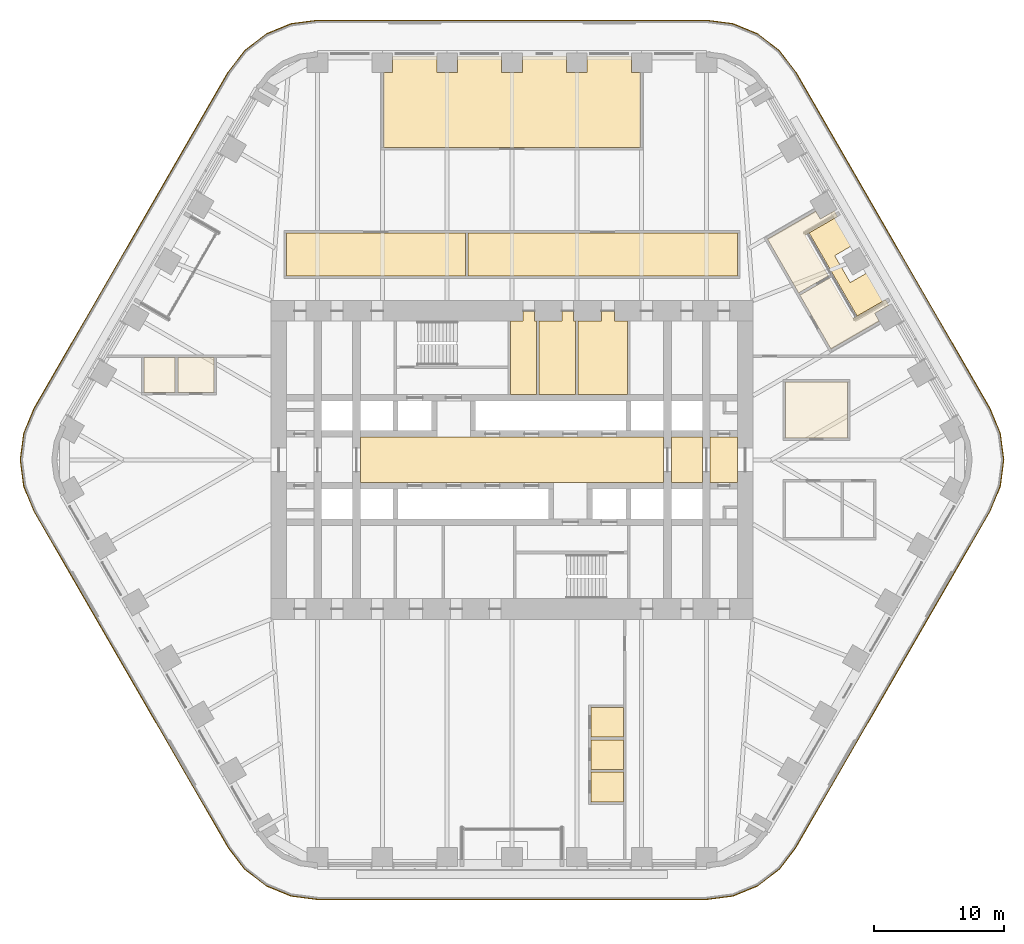
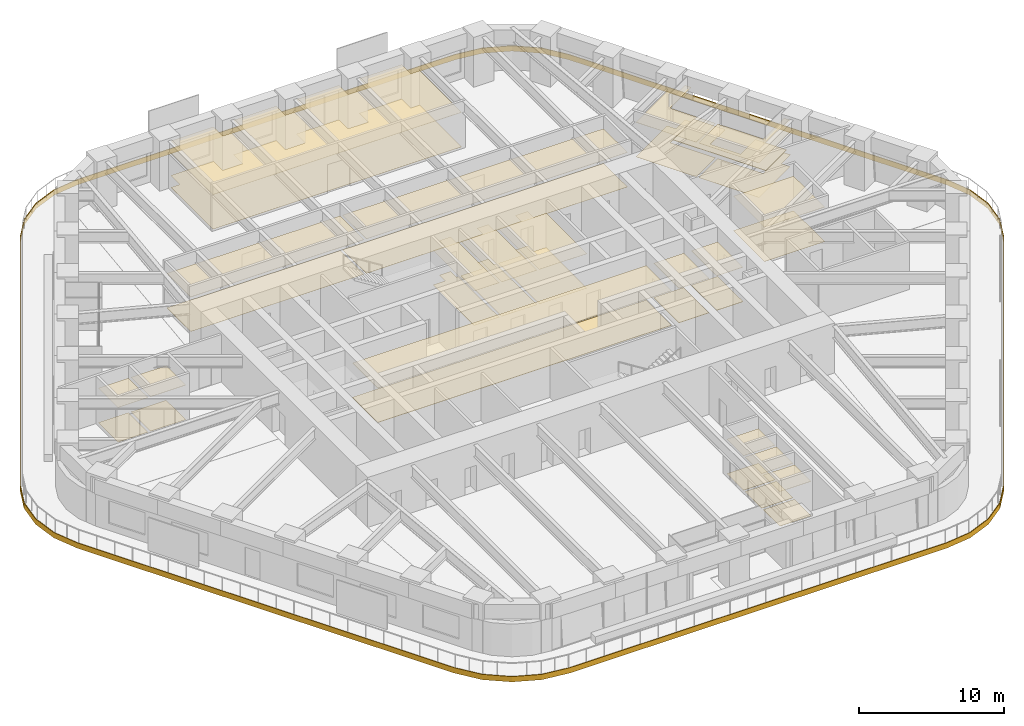
# One storey, part 23 of 24: 16 coverings.
"""IFC4 building model written with IfcOpenShell, lengths in metres."""

from ifc_helpers import new_model, si_unit, direction, frame, origin, place, context, subcontext, project, spatial, polyline, outline, extrude, material, layer, layer_set, type_object, element, save


model = new_model("IFC4")

# Units and contexts
model_context = context("Model", 3, precision=1e-05, world=origin(), true_north=direction((0.0, 1.0)))
body_context = subcontext(model_context, "Body", "Model", "MODEL_VIEW")
ifc_project = project(units=[si_unit("LENGTHUNIT", "METRE"), si_unit("AREAUNIT", "SQUARE_METRE"), si_unit("VOLUMEUNIT", "CUBIC_METRE"), si_unit("PLANEANGLEUNIT", "RADIAN"), si_unit("MASSUNIT", "GRAM", prefix="KILO")], contexts=[model_context])

# Site, building, storey
site_placement = place(None, origin())
site = spatial("IfcSite", under=ifc_project, at=site_placement, CompositionType="ELEMENT")
building_placement = place(site_placement, origin())
building = spatial("IfcBuilding", under=site, at=building_placement, Name="Tarfa Lantern Tower", CompositionType="ELEMENT")
storey_placement = place(building_placement, frame((0.0, 0.0, 140.5)))
storey = spatial("IfcBuildingStorey", under=building, at=storey_placement, Name="L31", CompositionType="ELEMENT", Elevation=140.5)

# Coverings
ifc_material_1 = material(Name="Mineral fibre acoustic tile on suspension grid", Category="finish")
ifc_layer_1 = layer(ifc_material_1, 0.02001953125)
ifc_layer_set_1 = layer_set([ifc_layer_1], Name="CL1 ACOUSTIC TILE CEILING 20")
covering_type_1 = type_object("IfcCoveringType", Name="CL1 ACOUSTIC TILE CEILING 20", PredefinedType="CEILING", material=ifc_layer_set_1)
covering_1_placement = place(storey_placement, frame((0.0, 0.0, 2.89990234375)))
element("IfcCovering", 1, at=covering_1_placement, inside=storey, type_object=covering_type_1, Name="Ceiling L31 CL1", PredefinedType="CEILING", context=body_context, shape_type="SweptSolid", body=[
    extrude(outline(polyline([(-17.39990234375, 17.5), (-3.60009765625, 17.5), (-3.60009765625, 14.199951171875), (-17.39990234375, 14.199951171875), (-17.39990234375, 17.5)])), origin(), (0.0, 0.0, 1.0), 0.02001953125),
    extrude(outline(polyline([(-3.39990234375, 17.5), (17.39990234375, 17.5), (17.39990234375, 14.199951171875), (-3.39990234375, 14.199951171875), (-3.39990234375, 17.5)])), origin(), (0.0, 0.0, 1.0), 0.02001953125),
    extrude(outline(polyline([(9.907470703125, 24.10009765625), (-9.907470703125, 24.10009765625), (-9.907470703125, 29.89990234375), (-9.20751953125, 29.89990234375), (-9.20751953125, 31.14990234375), (-5.8037109375, 31.14990234375), (-5.8037109375, 29.89990234375), (-4.20361328125, 29.89990234375), (-4.20361328125, 31.14990234375), (-0.800048828125, 31.14990234375), (-0.800048828125, 29.89990234375), (0.800048828125, 29.89990234375), (0.800048828125, 31.14990234375), (4.20361328125, 31.14990234375), (4.20361328125, 29.89990234375), (5.8037109375, 29.89990234375), (5.8037109375, 31.14990234375), (9.20751953125, 31.14990234375), (9.20751953125, 29.89990234375), (9.907470703125, 29.89990234375), (9.907470703125, 24.10009765625)])), origin(), (0.0, 0.0, 1.0), 0.02001953125),
    extrude(outline(polyline([(24.6220703125, 8.55322265625), (22.22021484375, 12.71337890625), (24.51513671875, 14.038330078125), (26.317138671875, 10.91748046875), (28.82861328125, 12.367431640625), (29.07861328125, 11.9345703125), (27.99609375, 11.3095703125), (28.345947265625, 10.703369140625), (24.6220703125, 8.55322265625)])), origin(), (0.0, 0.0, 1.0), 0.02001953125),
    extrude(outline(polyline([(19.718505859375, 17.046630859375), (23.4423828125, 19.19677734375), (23.792236328125, 18.590576171875), (24.874755859375, 19.215576171875), (25.124755859375, 18.782470703125), (22.61328125, 17.33251953125), (24.415283203125, 14.211669921875), (22.120361328125, 12.88671875), (19.718505859375, 17.046630859375)])), origin(), (0.0, 0.0, 1.0), 0.02001953125),
    extrude(outline(polyline([(-25.795166015625, 5.199951171875), (-25.795166015625, 7.89990234375), (-22.9951171875, 7.89990234375), (-22.9951171875, 5.199951171875), (-25.795166015625, 5.199951171875)])), origin(), (0.0, 0.0, 1.0), 0.02001953125),
    extrude(outline(polyline([(-28.39501953125, 5.199951171875), (-28.39501953125, 7.89990234375), (-25.9951171875, 7.89990234375), (-25.9951171875, 5.199951171875), (-28.39501953125, 5.199951171875)])), origin(), (0.0, 0.0, 1.0), 0.02001953125),
    extrude(outline(polyline([(6.10009765625, -21.39990234375), (6.10009765625, -19.10009765625), (8.60009765625, -19.10009765625), (8.60009765625, -21.39990234375), (6.10009765625, -21.39990234375)])), origin(), (0.0, 0.0, 1.0), 0.02001953125),
    extrude(outline(polyline([(6.10009765625, -23.89990234375), (6.10009765625, -21.60009765625), (8.60009765625, -21.60009765625), (8.60009765625, -23.89990234375), (6.10009765625, -23.89990234375)])), origin(), (0.0, 0.0, 1.0), 0.02001953125),
    extrude(outline(polyline([(6.10009765625, -26.39990234375), (6.10009765625, -24.10009765625), (8.60009765625, -24.10009765625), (8.60009765625, -26.39990234375), (6.10009765625, -26.39990234375)])), origin(), (0.0, 0.0, 1.0), 0.02001953125),
    extrude(outline(polyline([(21.10009765625, 6.0), (25.89990234375, 6.0), (25.89990234375, 1.699951171875), (21.10009765625, 1.699951171875), (21.10009765625, 6.0)])), origin(), (0.0, 0.0, 1.0), 0.02001953125),
])
ifc_material_2 = material(Name="Moisture-resistant plasterboard", Category="finish")
ifc_layer_2 = layer(ifc_material_2, 0.014892578125)
ifc_layer_set_2 = layer_set([ifc_layer_2], Name="CL2 MOISTURE-RESISTANT PLASTERBOARD CEILING 15")
covering_type_2 = type_object("IfcCoveringType", Name="CL2 MOISTURE-RESISTANT PLASTERBOARD CEILING 15", PredefinedType="CEILING", material=ifc_layer_set_2)
covering_2_placement = place(storey_placement, frame((0.0, 0.0, 2.89990234375)))
element("IfcCovering", 2, at=covering_2_placement, inside=storey, type_object=covering_type_2, Name="Ceiling L31-09", PredefinedType="CEILING", context=body_context, shape_type="SweptSolid", body=[
    extrude(outline(polyline([(0.85009765625, 10.699951171875), (-0.10009765625, 10.699951171875), (-0.10009765625, 5.050048828125), (1.89990234375, 5.050048828125), (1.89990234375, 10.699951171875), (1.75, 10.699951171875), (1.75, 11.5), (1.75, 11.5), (0.85009765625, 11.5), (0.85009765625, 10.699951171875)])), origin(), (0.0, 0.0, 1.0), 0.01513671875),
])
covering_3_placement = place(storey_placement, frame((0.0, 0.0, 2.89990234375)))
element("IfcCovering", 3, at=covering_3_placement, inside=storey, type_object=covering_type_2, Name="Ceiling L31-10", PredefinedType="CEILING", context=body_context, shape_type="SweptSolid", body=[
    extrude(outline(polyline([(2.10009765625, 5.050048828125), (4.89990234375, 5.050048828125), (4.89990234375, 10.699951171875), (4.75, 10.699951171875), (4.75, 11.5), (3.85009765625, 11.5), (3.85009765625, 10.699951171875), (2.10009765625, 10.699951171875), (2.10009765625, 5.050048828125)])), origin(), (0.0, 0.0, 1.0), 0.01513671875),
])
covering_4_placement = place(storey_placement, frame((0.0, 0.0, 2.89990234375)))
element("IfcCovering", 4, at=covering_4_placement, inside=storey, type_object=covering_type_2, Name="Ceiling L31-11", PredefinedType="CEILING", context=body_context, shape_type="SweptSolid", body=[
    extrude(outline(polyline([(5.10009765625, 5.050048828125), (8.89990234375, 5.050048828125), (8.89990234375, 10.699951171875), (7.89990234375, 10.699951171875), (7.89990234375, 11.5), (6.89990234375, 11.5), (6.89990234375, 10.699951171875), (5.10009765625, 10.699951171875), (5.10009765625, 5.050048828125)])), origin(), (0.0, 0.0, 1.0), 0.01513671875),
])
ifc_material_3 = material(Name="Powder-coated aluminium panel", Category="aluminium")
ifc_layer_3 = layer(ifc_material_3, 0.030029296875)
ifc_layer_set_3 = layer_set([ifc_layer_3], Name="CL3 METAL PANEL CEILING 30")
covering_type_3 = type_object("IfcCoveringType", Name="CL3 METAL PANEL CEILING 30", PredefinedType="CEILING", material=ifc_layer_set_3)
covering_5_placement = place(storey_placement, frame((0.0, 0.0, 2.89990234375)))
element("IfcCovering", 5, at=covering_5_placement, inside=storey, type_object=covering_type_3, Name="Ceiling L31-03", PredefinedType="CEILING", context=body_context, shape_type="SweptSolid", body=[
    extrude(outline(polyline([(-11.699951171875, -1.75), (11.699951171875, -1.75), (11.699951171875, 1.75), (-11.699951171875, 1.75), (-11.699951171875, -1.75)])), origin(), (0.0, 0.0, 1.0), 0.030029296875),
])
covering_6_placement = place(storey_placement, frame((0.0, 0.0, 2.89990234375)))
element("IfcCovering", 6, at=covering_6_placement, inside=storey, type_object=covering_type_3, Name="Ceiling L31-04", PredefinedType="CEILING", context=body_context, shape_type="SweptSolid", body=[
    extrude(outline(polyline([(12.300048828125, -1.75), (14.699951171875, -1.75), (14.699951171875, 1.75), (12.300048828125, 1.75), (12.300048828125, -1.75)])), origin(), (0.0, 0.0, 1.0), 0.030029296875),
])
covering_7_placement = place(storey_placement, frame((0.0, 0.0, 2.89990234375)))
element("IfcCovering", 7, at=covering_7_placement, inside=storey, type_object=covering_type_3, Name="Ceiling L31-05", PredefinedType="CEILING", context=body_context, shape_type="SweptSolid", body=[
    extrude(outline(polyline([(15.300048828125, -1.75), (17.39990234375, -1.75), (17.39990234375, 1.75), (15.300048828125, 1.75), (15.300048828125, -1.75)])), origin(), (0.0, 0.0, 1.0), 0.030029296875),
])
ifc_material_4 = material(Name="Nylon carpet tile", Category="finish")
ifc_layer_4 = layer(ifc_material_4, 0.010009765625)
ifc_layer_set_4 = layer_set([ifc_layer_4], Name="FL1 CARPET TILE 10")
covering_type_4 = type_object("IfcCoveringType", Name="FL1 CARPET TILE 10", PredefinedType="FLOORING", material=ifc_layer_set_4)
covering_8_placement = place(storey_placement, origin())
element("IfcCovering", 8, at=covering_8_placement, inside=storey, type_object=covering_type_4, Name="Floor finish L31 FL1", PredefinedType="FLOORING", context=body_context, shape_type="SweptSolid", body=[
    extrude(outline(polyline([(-17.39990234375, 17.5), (-3.60009765625, 17.5), (-3.60009765625, 14.199951171875), (-17.39990234375, 14.199951171875), (-17.39990234375, 17.5)])), origin(), (0.0, 0.0, 1.0), 0.010009765625),
    extrude(outline(polyline([(-3.39990234375, 17.5), (17.39990234375, 17.5), (17.39990234375, 14.199951171875), (-3.39990234375, 14.199951171875), (-3.39990234375, 17.5)])), origin(), (0.0, 0.0, 1.0), 0.010009765625),
    extrude(outline(polyline([(9.907470703125, 24.10009765625), (-9.907470703125, 24.10009765625), (-9.907470703125, 29.89990234375), (-9.20751953125, 29.89990234375), (-9.20751953125, 31.14990234375), (-5.8037109375, 31.14990234375), (-5.8037109375, 29.89990234375), (-4.20361328125, 29.89990234375), (-4.20361328125, 31.14990234375), (-0.800048828125, 31.14990234375), (-0.800048828125, 29.89990234375), (0.800048828125, 29.89990234375), (0.800048828125, 31.14990234375), (4.20361328125, 31.14990234375), (4.20361328125, 29.89990234375), (5.8037109375, 29.89990234375), (5.8037109375, 31.14990234375), (9.20751953125, 31.14990234375), (9.20751953125, 29.89990234375), (9.907470703125, 29.89990234375), (9.907470703125, 24.10009765625)])), origin(), (0.0, 0.0, 1.0), 0.010009765625),
    extrude(outline(polyline([(24.6220703125, 8.55322265625), (22.22021484375, 12.71337890625), (24.51513671875, 14.038330078125), (26.317138671875, 10.91748046875), (28.82861328125, 12.367431640625), (29.07861328125, 11.9345703125), (27.99609375, 11.3095703125), (28.345947265625, 10.703369140625), (24.6220703125, 8.55322265625)])), origin(), (0.0, 0.0, 1.0), 0.010009765625),
    extrude(outline(polyline([(19.718505859375, 17.046630859375), (23.4423828125, 19.19677734375), (23.792236328125, 18.590576171875), (24.874755859375, 19.215576171875), (25.124755859375, 18.782470703125), (22.61328125, 17.33251953125), (24.415283203125, 14.211669921875), (22.120361328125, 12.88671875), (19.718505859375, 17.046630859375)])), origin(), (0.0, 0.0, 1.0), 0.010009765625),
    extrude(outline(polyline([(-25.795166015625, 5.199951171875), (-25.795166015625, 7.89990234375), (-22.9951171875, 7.89990234375), (-22.9951171875, 5.199951171875), (-25.795166015625, 5.199951171875)])), origin(), (0.0, 0.0, 1.0), 0.010009765625),
    extrude(outline(polyline([(-28.39501953125, 5.199951171875), (-28.39501953125, 7.89990234375), (-25.9951171875, 7.89990234375), (-25.9951171875, 5.199951171875), (-28.39501953125, 5.199951171875)])), origin(), (0.0, 0.0, 1.0), 0.010009765625),
    extrude(outline(polyline([(6.10009765625, -21.39990234375), (6.10009765625, -19.10009765625), (8.60009765625, -19.10009765625), (8.60009765625, -21.39990234375), (6.10009765625, -21.39990234375)])), origin(), (0.0, 0.0, 1.0), 0.010009765625),
    extrude(outline(polyline([(6.10009765625, -23.89990234375), (6.10009765625, -21.60009765625), (8.60009765625, -21.60009765625), (8.60009765625, -23.89990234375), (6.10009765625, -23.89990234375)])), origin(), (0.0, 0.0, 1.0), 0.010009765625),
    extrude(outline(polyline([(6.10009765625, -26.39990234375), (6.10009765625, -24.10009765625), (8.60009765625, -24.10009765625), (8.60009765625, -26.39990234375), (6.10009765625, -26.39990234375)])), origin(), (0.0, 0.0, 1.0), 0.010009765625),
    extrude(outline(polyline([(21.10009765625, 6.0), (25.89990234375, 6.0), (25.89990234375, 1.699951171875), (21.10009765625, 1.699951171875), (21.10009765625, 6.0)])), origin(), (0.0, 0.0, 1.0), 0.010009765625),
])
ifc_material_5 = material(Name="Honed limestone flooring", Category="masonry")
ifc_layer_5 = layer(ifc_material_5, 0.030029296875)
ifc_layer_set_5 = layer_set([ifc_layer_5], Name="FL2 STONE FLOORING 30")
covering_type_5 = type_object("IfcCoveringType", Name="FL2 STONE FLOORING 30", PredefinedType="FLOORING", material=ifc_layer_set_5)
covering_9_placement = place(storey_placement, origin())
element("IfcCovering", 9, at=covering_9_placement, inside=storey, type_object=covering_type_5, Name="Floor finish L31-03", PredefinedType="FLOORING", context=body_context, shape_type="SweptSolid", body=[
    extrude(outline(polyline([(-11.699951171875, -1.75), (11.699951171875, -1.75), (11.699951171875, 1.75), (-11.699951171875, 1.75), (-11.699951171875, -1.75)])), origin(), (0.0, 0.0, 1.0), 0.030029296875),
])
covering_10_placement = place(storey_placement, origin())
element("IfcCovering", 10, at=covering_10_placement, inside=storey, type_object=covering_type_5, Name="Floor finish L31-04", PredefinedType="FLOORING", context=body_context, shape_type="SweptSolid", body=[
    extrude(outline(polyline([(12.300048828125, -1.75), (14.699951171875, -1.75), (14.699951171875, 1.75), (12.300048828125, 1.75), (12.300048828125, -1.75)])), origin(), (0.0, 0.0, 1.0), 0.030029296875),
])
covering_11_placement = place(storey_placement, origin())
element("IfcCovering", 11, at=covering_11_placement, inside=storey, type_object=covering_type_5, Name="Floor finish L31-05", PredefinedType="FLOORING", context=body_context, shape_type="SweptSolid", body=[
    extrude(outline(polyline([(15.300048828125, -1.75), (17.39990234375, -1.75), (17.39990234375, 1.75), (15.300048828125, 1.75), (15.300048828125, -1.75)])), origin(), (0.0, 0.0, 1.0), 0.030029296875),
])
ifc_material_6 = material(Name="Porcelain floor tile", Category="finish")
ifc_layer_6 = layer(ifc_material_6, 0.011962890625)
ifc_layer_set_6 = layer_set([ifc_layer_6], Name="FL3 CERAMIC TILE 12")
covering_type_6 = type_object("IfcCoveringType", Name="FL3 CERAMIC TILE 12", PredefinedType="FLOORING", material=ifc_layer_set_6)
covering_12_placement = place(storey_placement, origin())
element("IfcCovering", 12, at=covering_12_placement, inside=storey, type_object=covering_type_6, Name="Floor finish L31-09", PredefinedType="FLOORING", context=body_context, shape_type="SweptSolid", body=[
    extrude(outline(polyline([(0.85009765625, 10.699951171875), (-0.10009765625, 10.699951171875), (-0.10009765625, 5.050048828125), (1.89990234375, 5.050048828125), (1.89990234375, 10.699951171875), (1.75, 10.699951171875), (1.75, 11.5), (1.75, 11.5), (0.85009765625, 11.5), (0.85009765625, 10.699951171875)])), origin(), (0.0, 0.0, 1.0), 0.011962890625),
])
covering_13_placement = place(storey_placement, origin())
element("IfcCovering", 13, at=covering_13_placement, inside=storey, type_object=covering_type_6, Name="Floor finish L31-10", PredefinedType="FLOORING", context=body_context, shape_type="SweptSolid", body=[
    extrude(outline(polyline([(2.10009765625, 5.050048828125), (4.89990234375, 5.050048828125), (4.89990234375, 10.699951171875), (4.75, 10.699951171875), (4.75, 11.5), (3.85009765625, 11.5), (3.85009765625, 10.699951171875), (2.10009765625, 10.699951171875), (2.10009765625, 5.050048828125)])), origin(), (0.0, 0.0, 1.0), 0.011962890625),
])
covering_14_placement = place(storey_placement, origin())
element("IfcCovering", 14, at=covering_14_placement, inside=storey, type_object=covering_type_6, Name="Floor finish L31-11", PredefinedType="FLOORING", context=body_context, shape_type="SweptSolid", body=[
    extrude(outline(polyline([(5.10009765625, 5.050048828125), (8.89990234375, 5.050048828125), (8.89990234375, 10.699951171875), (7.89990234375, 10.699951171875), (7.89990234375, 11.5), (6.89990234375, 11.5), (6.89990234375, 10.699951171875), (5.10009765625, 10.699951171875), (5.10009765625, 5.050048828125)])), origin(), (0.0, 0.0, 1.0), 0.011962890625),
])
ifc_material_7 = material(Name="Porcelain pavers on pedestals", Category="ceramic")
ifc_layer_7 = layer(ifc_material_7, 0.0400390625)
ifc_layer_set_7 = layer_set([ifc_layer_7], Name="LP1 LOGGIA PAVING 40")
covering_type_7 = type_object("IfcCoveringType", Name="LP1 LOGGIA PAVING 40", PredefinedType="FLOORING", material=ifc_layer_set_7)
covering_15_placement = place(storey_placement, origin())
element("IfcCovering", 15, at=covering_15_placement, inside=storey, type_object=covering_type_7, Name="Loggia paving NE", PredefinedType="FLOORING", context=body_context, shape_type="SweptSolid", body=[
    extrude(outline(polyline([(29.131591796875, 12.54248046875), (26.637451171875, 11.1025390625), (22.933837890625, 17.517578125), (25.427978515625, 18.95751953125), (26.6796875, 16.789306640625), (24.904541015625, 15.76416015625), (26.1044921875, 13.685791015625), (27.8798828125, 14.710693359375), (29.131591796875, 12.54248046875)])), origin(), (0.0, 0.0, 1.0), 0.0400390625),
])
ifc_material_8 = material(Name="Limestone cladding on brackets", Category="masonry")
ifc_layer_8 = layer(ifc_material_8, 0.050048828125)
ifc_layer_set_8 = layer_set([ifc_layer_8], Name="SB1 STONE BAND CLADDING 50")
covering_type_8 = type_object("IfcCoveringType", Name="SB1 STONE BAND CLADDING 50", PredefinedType="CLADDING", material=ifc_layer_set_8)
covering_16_placement = place(storey_placement, frame((0.0, 0.0, -0.39990234375)))
element("IfcCovering", 16, at=covering_16_placement, inside=storey, type_object=covering_type_8, Name="Stone band", PredefinedType="CLADDING", context=body_context, shape_type="SweptSolid", body=[
    extrude(outline(polyline([(36.9072265625, 3.97509765625), (21.89599609375, 29.97509765625), (20.632568359375, 31.62158203125), (18.986083984375, 32.885009765625), (17.068603515625, 33.67919921875), (15.010986328125, 33.949951171875), (-15.010986328125, 33.949951171875), (-17.068603515625, 33.67919921875), (-18.986083984375, 32.885009765625), (-20.632568359375, 31.62158203125), (-21.89599609375, 29.97509765625), (-36.9072265625, 3.97509765625), (-37.701416015625, 2.0576171875), (-37.97216796875, 0.0), (-37.701416015625, -2.0576171875), (-36.9072265625, -3.97509765625), (-21.89599609375, -29.97509765625), (-20.632568359375, -31.62158203125), (-18.986083984375, -32.885009765625), (-17.068603515625, -33.67919921875), (-15.010986328125, -33.949951171875), (15.010986328125, -33.949951171875), (17.068603515625, -33.67919921875), (18.986083984375, -32.885009765625), (20.632568359375, -31.62158203125), (21.89599609375, -29.97509765625), (36.9072265625, -3.97509765625), (37.701416015625, -2.0576171875), (37.97216796875, 0.0), (37.701416015625, 2.0576171875), (36.9072265625, 3.97509765625)]), holes=[polyline([(36.86376953125, 3.949951171875), (21.852783203125, 29.949951171875), (20.59716796875, 31.586181640625), (18.961181640625, 32.841552734375), (17.0556640625, 33.630859375), (15.010986328125, 33.89990234375), (-15.010986328125, 33.89990234375), (-17.0556640625, 33.630859375), (-18.961181640625, 32.841552734375), (-20.59716796875, 31.586181640625), (-21.852783203125, 29.949951171875), (-36.86376953125, 3.949951171875), (-37.653076171875, 2.044677734375), (-37.922119140625, 0.0), (-37.653076171875, -2.044677734375), (-36.86376953125, -3.949951171875), (-21.852783203125, -29.949951171875), (-20.59716796875, -31.586181640625), (-18.961181640625, -32.841552734375), (-17.0556640625, -33.630859375), (-15.010986328125, -33.89990234375), (15.010986328125, -33.89990234375), (17.0556640625, -33.630859375), (18.961181640625, -32.841552734375), (20.59716796875, -31.586181640625), (21.852783203125, -29.949951171875), (36.86376953125, -3.949951171875), (37.653076171875, -2.044677734375), (37.922119140625, 0.0), (37.653076171875, 2.044677734375), (36.86376953125, 3.949951171875)])]), origin(), (0.0, 0.0, 1.0), 0.449951171875),
])

save(model, "model.ifc")
